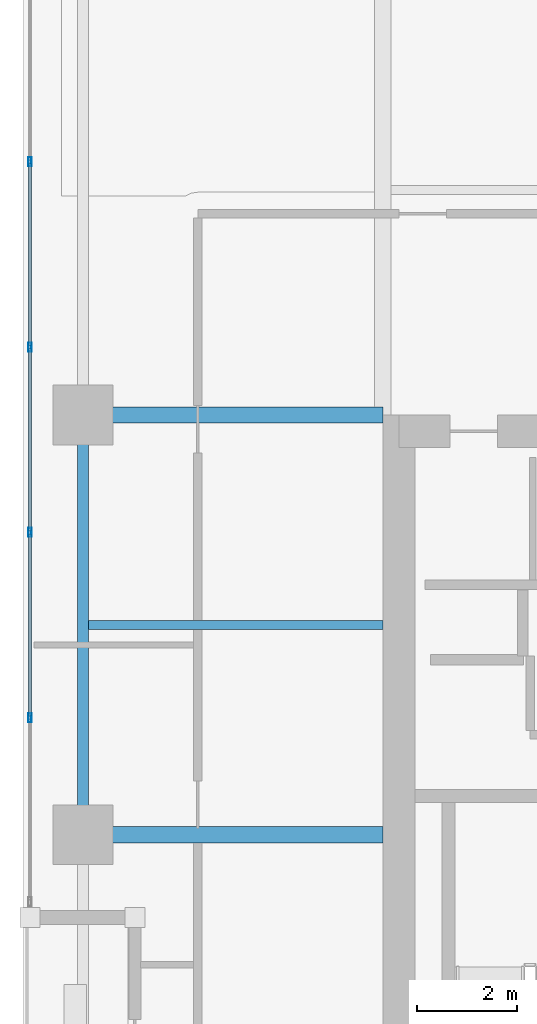
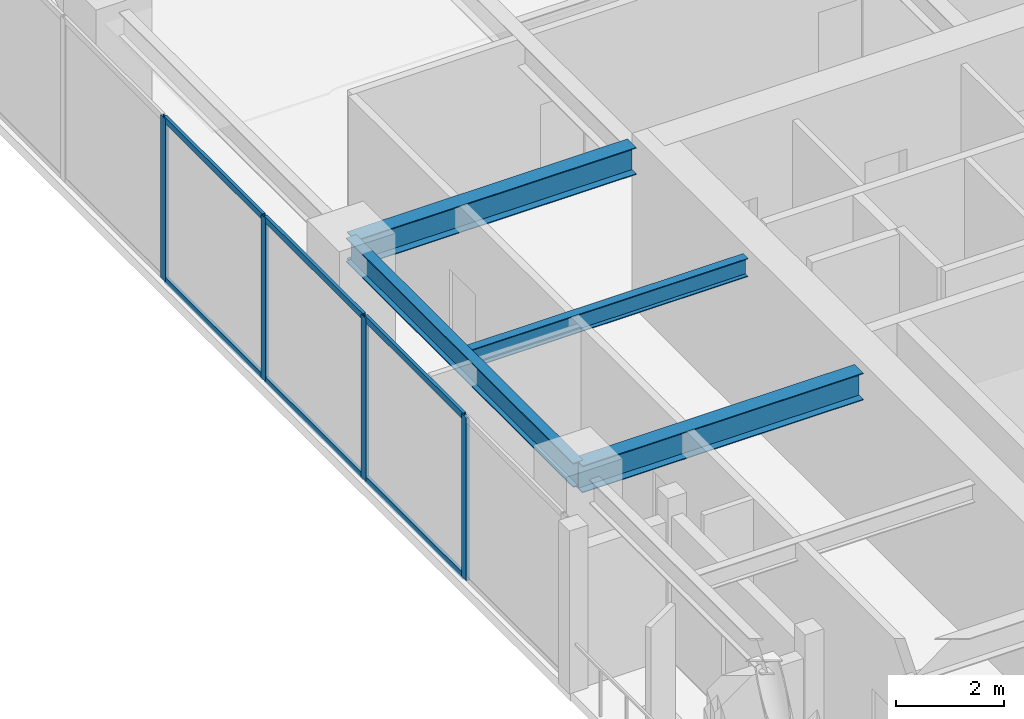
# One storey, part 4 of 21: 10 members, 4 beams, 1 element without a shape of its own.
"""IFC4 building model written with IfcOpenShell, lengths in metres."""

from ifc_helpers import new_model, si_unit, direction, frame, origin, origin_2d, place, context, subcontext, project, spatial, hollow_rectangle, i_section, extrude, material, layer, layer_set, material_profile, profile_set, type_object, element, aggregate, save


model = new_model("IFC4")

# Units and contexts
model_context = context("Model", 3, precision=1e-05, world=origin(), true_north=direction((0.0, 1.0)))
body_context = subcontext(model_context, "Body", "Model", "MODEL_VIEW")
ifc_project = project(units=[si_unit("LENGTHUNIT", "METRE"), si_unit("AREAUNIT", "SQUARE_METRE"), si_unit("VOLUMEUNIT", "CUBIC_METRE"), si_unit("PLANEANGLEUNIT", "RADIAN"), si_unit("MASSUNIT", "GRAM", prefix="KILO")], contexts=[model_context])

# Site, building, storey
site_placement = place(None, origin())
site = spatial("IfcSite", under=ifc_project, at=site_placement, CompositionType="ELEMENT")
building_placement = place(site_placement, origin())
building = spatial("IfcBuilding", under=site, at=building_placement, Name="Kiyonajd Concourse Tower", CompositionType="ELEMENT")
storey_placement = place(building_placement, frame((0.0, 0.0, 227.10009765625)))
storey = spatial("IfcBuildingStorey", under=building, at=storey_placement, Name="L57", CompositionType="ELEMENT", Elevation=227.10009765625)

# Beams
ifc_material_1 = material(Name="Steel ASTM A992 Grade 50", Category="steel")
ifc_material_profile_1 = material_profile(ifc_material_1, i_section(OverallWidth=0.180908203125, OverallDepth=0.4169921875, WebThickness=0.010986328125, FlangeThickness=0.018310546875, at=origin_2d()), Name="W410X85")
ifc_profile_set_1 = profile_set([ifc_material_profile_1], Name="Steel ASTM A992 Grade 50")
beam_type_1 = type_object("IfcBeamType", Name="BM-JST-410", PredefinedType="JOIST", material=ifc_profile_set_1)
beam_1_placement = place(storey_placement, frame((26.507080078125, 40.199951171875, 3.471435546875), z_axis=(1.0, 0.0, 0.0), x_axis=(0.0, 1.0, 0.0)))
element("IfcBeam", 1, at=beam_1_placement, inside=storey, type_object=beam_type_1, Name="L57 West Secondary Floor Joist", PredefinedType="JOIST", context=body_context, shape_type="SweptSolid", body=[
    extrude(i_section(OverallWidth=0.180908203125, OverallDepth=0.4169921875, WebThickness=0.010986328125, FlangeThickness=0.018310546875, at=origin_2d()), origin(), (0.0, 0.0, 1.0), 5.892822265625),
])
ifc_material_profile_2 = material_profile(ifc_material_1, i_section(OverallWidth=0.214111328125, OverallDepth=0.549072265625, WebThickness=0.0146484375, FlangeThickness=0.023681640625, at=origin_2d()), Name="W530X138")
ifc_profile_set_2 = profile_set([ifc_material_profile_2], Name="Steel ASTM A992 Grade 50")
beam_type_2 = type_object("IfcBeamType", Name="BM-SPAN-530A", PredefinedType="SPANDREL", material=ifc_profile_set_2)
beam_2_placement = place(storey_placement, frame((26.39990234375, 44.39990234375, 3.405517578125), z_axis=(0.0, -1.0, 0.0), x_axis=(1.0, 0.0, 0.0)))
element("IfcBeam", 2, at=beam_2_placement, inside=storey, type_object=beam_type_2, Name="L57 Perimeter Bundled Tube Spandrel", PredefinedType="SPANDREL", context=body_context, shape_type="SweptSolid", body=[
    extrude(i_section(OverallWidth=0.214111328125, OverallDepth=0.549072265625, WebThickness=0.0146484375, FlangeThickness=0.023681640625, at=origin_2d()), origin(), (0.0, 0.0, 1.0), 8.39990234375),
])
ifc_material_profile_3 = material_profile(ifc_material_1, i_section(OverallWidth=0.323974609375, OverallDepth=0.611083984375, WebThickness=0.0126953125, FlangeThickness=0.01904296875, at=origin_2d()), Name="W610X155")
ifc_profile_set_3 = profile_set([ifc_material_profile_3], Name="Steel ASTM A992 Grade 50")
beam_type_3 = type_object("IfcBeamType", Name="BM-TWR-610B", PredefinedType="BEAM", material=ifc_profile_set_3)
for number, where, z_axis, x_axis, name in (
    (3, (26.39990234375, 36.0, 3.37451171875), (1.0, 0.0, 0.0), (0.0, 1.0, 0.0), "L57 West Lease Girder"),
    (4, (26.39990234375, 44.39990234375, 3.37451171875), (1.0, 0.0, 0.0), (0.0, 1.0, 0.0), "L57 West Lease Girder"),
):
    element("IfcBeam", number, at=place(storey_placement, frame(where, z_axis=z_axis, x_axis=x_axis)), inside=storey, type_object=beam_type_3, Name=name, PredefinedType="BEAM", context=body_context, shape_type="SweptSolid", body=[
        extrude(i_section(OverallWidth=0.323974609375, OverallDepth=0.611083984375, WebThickness=0.0126953125, FlangeThickness=0.01904296875, at=origin_2d()), origin(), (0.0, 0.0, 1.0), 6.0),
    ])

# Curtain wall, members
ifc_material_2 = material(Name="Thermally Broken Anodised Aluminium", Category="aluminium")
ifc_layer = layer(ifc_material_2, 0.179931640625)
ifc_layer_set = layer_set([ifc_layer], Name="Thermally Broken Anodised Aluminium")
curtain_wall_type = type_object("IfcCurtainWallType", Name="CW-SYS-04", PredefinedType="NOTDEFINED", material=ifc_layer_set)
curtain_wall_placement = place(storey_placement, origin())
curtain_wall = element("IfcCurtainWall", 5, at=curtain_wall_placement, inside=storey, type_object=curtain_wall_type, Name="L57 Unitised Curtain Wall CW4", PredefinedType="NOTDEFINED")
ifc_material_profile_4 = material_profile(ifc_material_2, hollow_rectangle(XDim=0.06494140625, YDim=0.179931640625, WallThickness=0.00390625, at=origin_2d()), Name="MULL-65x180")
ifc_profile_set_4 = profile_set([ifc_material_profile_4], Name="Thermally Broken Anodised Aluminium")
member_type_1 = type_object("IfcMemberType", Name="MB-CW-MULL1", PredefinedType="MULLION", material=ifc_profile_set_4)
member_1_placement = place(storey_placement, frame((25.340087890625, 38.34033203125, 0.0), z_axis=(0.0, 0.0, 1.0), x_axis=(-1.0, 0.0, 0.0)))
member_1 = element("IfcMember", 6, at=member_1_placement, type_object=member_type_1, Name="CW4 mullion 2", PredefinedType="MULLION", context=body_context, shape_type="SweptSolid", body=[
    extrude(hollow_rectangle(XDim=0.06494140625, YDim=0.179931640625, WallThickness=0.00390625, at=origin_2d()), origin(), (0.0, 0.0, 1.0), 3.679931640625),
])
member_2_placement = place(storey_placement, frame((25.340087890625, 42.050537109375, 0.0), z_axis=(0.0, 0.0, 1.0), x_axis=(-1.0, 0.0, 0.0)))
member_2 = element("IfcMember", 7, at=member_2_placement, type_object=member_type_1, Name="CW4 mullion 3", PredefinedType="MULLION", context=body_context, shape_type="SweptSolid", body=[
    extrude(hollow_rectangle(XDim=0.06494140625, YDim=0.179931640625, WallThickness=0.00390625, at=origin_2d()), origin(), (0.0, 0.0, 1.0), 3.679931640625),
])
member_3_placement = place(storey_placement, frame((25.340087890625, 45.7607421875, 0.0), z_axis=(0.0, 0.0, 1.0), x_axis=(-1.0, 0.0, 0.0)))
member_3 = element("IfcMember", 8, at=member_3_placement, type_object=member_type_1, Name="CW4 mullion 4", PredefinedType="MULLION", context=body_context, shape_type="SweptSolid", body=[
    extrude(hollow_rectangle(XDim=0.06494140625, YDim=0.179931640625, WallThickness=0.00390625, at=origin_2d()), origin(), (0.0, 0.0, 1.0), 3.679931640625),
])
member_4_placement = place(storey_placement, frame((25.340087890625, 49.470947265625, 0.0), z_axis=(0.0, 0.0, 1.0), x_axis=(-1.0, 0.0, 0.0)))
member_4 = element("IfcMember", 9, at=member_4_placement, type_object=member_type_1, Name="CW4 mullion 5", PredefinedType="MULLION", context=body_context, shape_type="SweptSolid", body=[
    extrude(hollow_rectangle(XDim=0.06494140625, YDim=0.179931640625, WallThickness=0.00390625, at=origin_2d()), origin(), (0.0, 0.0, 1.0), 3.679931640625),
])
ifc_material_profile_5 = material_profile(ifc_material_2, hollow_rectangle(XDim=0.06494140625, YDim=0.139892578125, WallThickness=0.00390625, at=origin_2d()), Name="TRAN-65x140")
ifc_profile_set_5 = profile_set([ifc_material_profile_5], Name="Thermally Broken Anodised Aluminium")
member_type_2 = type_object("IfcMemberType", Name="MB-CW-TRAN1", PredefinedType="USERDEFINED", material=ifc_profile_set_5)
member_5_placement = place(storey_placement, frame((25.340087890625, 38.372802734375, 0.032470703125), z_axis=(0.0, 1.0, 0.0), x_axis=(-1.0, 0.0, 0.0)))
member_5 = element("IfcMember", 10, at=member_5_placement, type_object=member_type_2, Name="CW4 transom 2.1", ObjectType="TRANSOM", PredefinedType="USERDEFINED", context=body_context, shape_type="SweptSolid", body=[
    extrude(hollow_rectangle(XDim=0.06494140625, YDim=0.139892578125, WallThickness=0.00390625, at=origin_2d()), origin(), (0.0, 0.0, 1.0), 3.645263671875),
])
member_6_placement = place(storey_placement, frame((25.340087890625, 38.372802734375, 3.6474609375), z_axis=(0.0, 1.0, 0.0), x_axis=(-1.0, 0.0, 0.0)))
member_6 = element("IfcMember", 11, at=member_6_placement, type_object=member_type_2, Name="CW4 transom 2.2", ObjectType="TRANSOM", PredefinedType="USERDEFINED", context=body_context, shape_type="SweptSolid", body=[
    extrude(hollow_rectangle(XDim=0.06494140625, YDim=0.139892578125, WallThickness=0.00390625, at=origin_2d()), origin(), (0.0, 0.0, 1.0), 3.645263671875),
])
member_7_placement = place(storey_placement, frame((25.340087890625, 42.0830078125, 0.032470703125), z_axis=(0.0, 1.0, 0.0), x_axis=(-1.0, 0.0, 0.0)))
member_7 = element("IfcMember", 12, at=member_7_placement, type_object=member_type_2, Name="CW4 transom 3.1", ObjectType="TRANSOM", PredefinedType="USERDEFINED", context=body_context, shape_type="SweptSolid", body=[
    extrude(hollow_rectangle(XDim=0.06494140625, YDim=0.139892578125, WallThickness=0.00390625, at=origin_2d()), origin(), (0.0, 0.0, 1.0), 3.645263671875),
])
member_8_placement = place(storey_placement, frame((25.340087890625, 42.0830078125, 3.6474609375), z_axis=(0.0, 1.0, 0.0), x_axis=(-1.0, 0.0, 0.0)))
member_8 = element("IfcMember", 13, at=member_8_placement, type_object=member_type_2, Name="CW4 transom 3.2", ObjectType="TRANSOM", PredefinedType="USERDEFINED", context=body_context, shape_type="SweptSolid", body=[
    extrude(hollow_rectangle(XDim=0.06494140625, YDim=0.139892578125, WallThickness=0.00390625, at=origin_2d()), origin(), (0.0, 0.0, 1.0), 3.645263671875),
])
member_9_placement = place(storey_placement, frame((25.340087890625, 45.793212890625, 0.032470703125), z_axis=(0.0, 1.0, 0.0), x_axis=(-1.0, 0.0, 0.0)))
member_9 = element("IfcMember", 14, at=member_9_placement, type_object=member_type_2, Name="CW4 transom 4.1", ObjectType="TRANSOM", PredefinedType="USERDEFINED", context=body_context, shape_type="SweptSolid", body=[
    extrude(hollow_rectangle(XDim=0.06494140625, YDim=0.139892578125, WallThickness=0.00390625, at=origin_2d()), origin(), (0.0, 0.0, 1.0), 3.645263671875),
])
member_10_placement = place(storey_placement, frame((25.340087890625, 45.793212890625, 3.6474609375), z_axis=(0.0, 1.0, 0.0), x_axis=(-1.0, 0.0, 0.0)))
member_10 = element("IfcMember", 15, at=member_10_placement, type_object=member_type_2, Name="CW4 transom 4.2", ObjectType="TRANSOM", PredefinedType="USERDEFINED", context=body_context, shape_type="SweptSolid", body=[
    extrude(hollow_rectangle(XDim=0.06494140625, YDim=0.139892578125, WallThickness=0.00390625, at=origin_2d()), origin(), (0.0, 0.0, 1.0), 3.645263671875),
])
aggregate(curtain_wall, [member_1, member_2, member_3, member_4, member_5, member_6, member_7, member_8, member_9, member_10])

save(model, "model.ifc")
